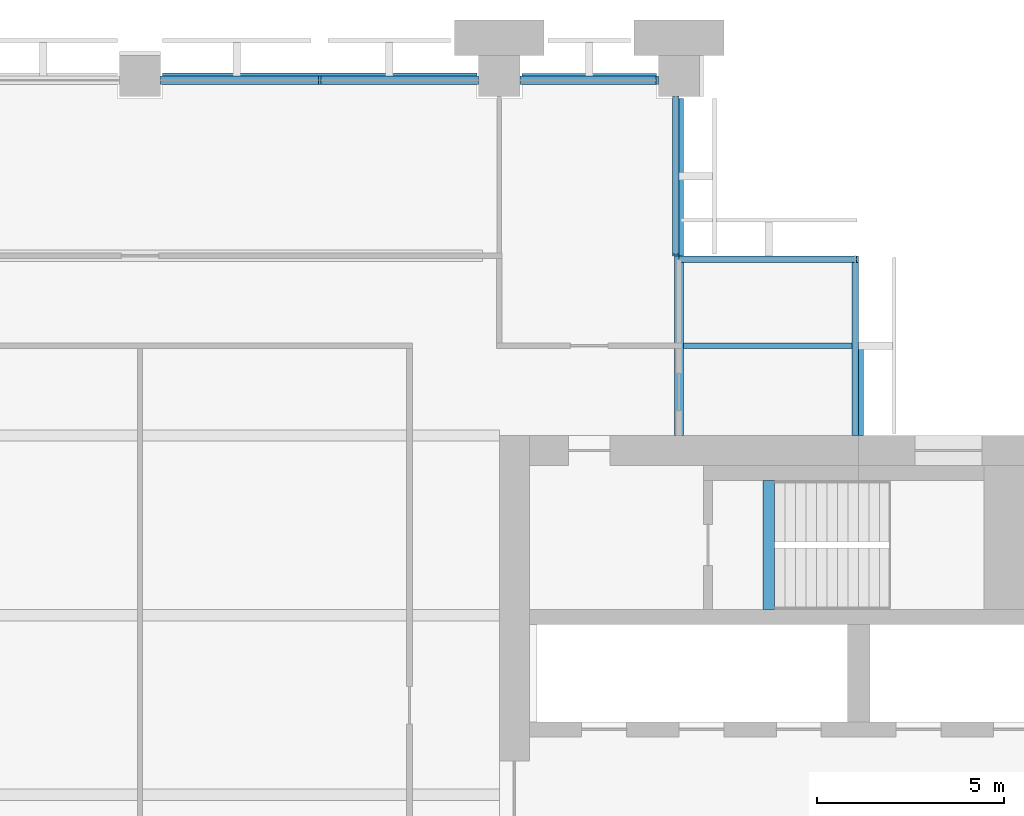
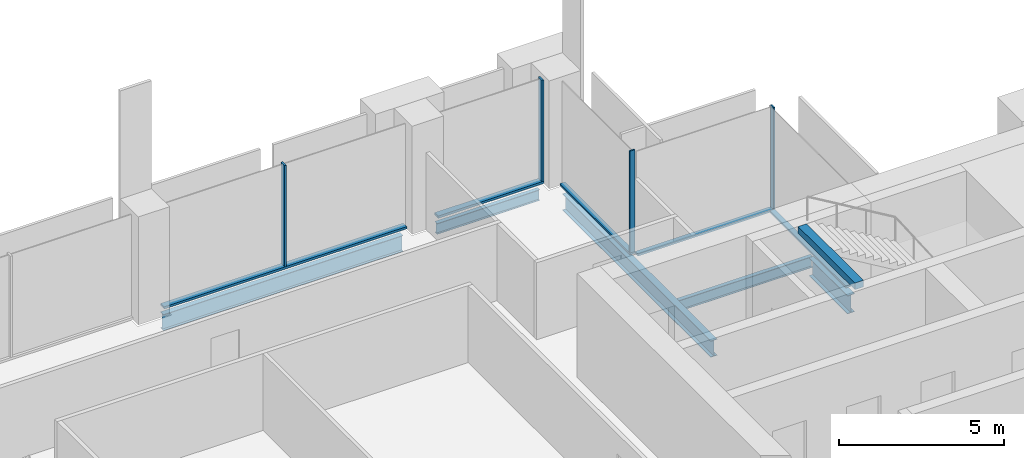
# One storey, part 6 of 13: 9 members, 6 beams, 4 elements without a shape of their own.
"""IFC4 building model written with IfcOpenShell, lengths in metres."""

import ifcopenshell
import ifcopenshell.guid

model = None  # the IFC model being written
_history = None  # IfcOwnerHistory: only IFC2X3 demands one
_inside = {}  # id of a spatial element -> (the spatial element, [elements in it])
_under = {}  # id of a project, library or spatial element -> (it, [spatial elements below it])
_declared = {}  # id of a project -> (the project, [libraries it declares])
_typed = {}  # id of a type object -> (the type object, [elements of that type])
_made_of = {}  # id of a material, layer set ... -> (it, [elements and type objects made of it])


def new_model(schema):
    """Start an empty IFC model of exactly this schema.

    Asked for "IFC4X3", IfcOpenShell would pick the latest addendum, in which some entities
    have other attributes; the version numbers below select the first issue.
    IFC2X3 requires an IfcOwnerHistory on every rooted entity: one is made here for all.
    """
    global model, _history
    if schema == "IFC4X3":
        model = ifcopenshell.file(schema_version=(4, 3, 0, 0))
    else:
        model = ifcopenshell.file(schema=schema)
    _inside.clear()
    _under.clear()
    _declared.clear()
    _typed.clear()
    _made_of.clear()
    _history = None
    if model.schema == "IFC2X3":
        org = make("IfcOrganization", Name="unknown")
        user = make(
            "IfcPersonAndOrganization",
            ThePerson=make("IfcPerson", FamilyName="unknown"),
            TheOrganization=org,
        )
        app = make(
            "IfcApplication",
            ApplicationDeveloper=org,
            Version="unknown",
            ApplicationFullName="unknown",
            ApplicationIdentifier="unknown",
        )
        _history = make(
            "IfcOwnerHistory",
            OwningUser=user,
            OwningApplication=app,
            ChangeAction="ADDED",
            CreationDate=0,
        )
    return model


def make(cls, **values):
    """One entity of the class cls with the attributes given. An attribute that is None is left unset."""
    return model.create_entity(
        cls, **{name: value for name, value in values.items() if value is not None}
    )


def rooted(cls, **values):
    """An entity with a GlobalId (a new one), such as an element, a storey or a relation."""
    return make(cls, GlobalId=ifcopenshell.guid.new(), OwnerHistory=_history, **values)


def si_unit(unit_type, name, prefix=None):
    """IfcSIUnit, for example si_unit("LENGTHUNIT", "METRE", prefix="MILLI")."""
    return make("IfcSIUnit", UnitType=unit_type, Prefix=prefix, Name=name)


def assignment(units):
    """IfcUnitAssignment: the units of a project."""
    return None if units is None else make("IfcUnitAssignment", Units=units)


def point(xyz):
    """IfcCartesianPoint."""
    return None if xyz is None else make("IfcCartesianPoint", Coordinates=xyz)


def direction(xyz):
    """IfcDirection."""
    return None if xyz is None else make("IfcDirection", DirectionRatios=xyz)


def frame(location, z_axis=None, x_axis=None):
    """IfcAxis2Placement3D, a coordinate frame: its origin and axes. An axis left out is left unset."""
    return make(
        "IfcAxis2Placement3D",
        Location=point(location),
        Axis=direction(z_axis),
        RefDirection=direction(x_axis),
    )


def frame_2d(location, x_axis=None):
    """IfcAxis2Placement2D, a coordinate frame in the plane: its origin and x axis."""
    return make(
        "IfcAxis2Placement2D", Location=point(location), RefDirection=direction(x_axis)
    )


def origin():
    """The frame at (0, 0, 0) with its axes left unset."""
    return frame((0.0, 0.0, 0.0))


def origin_2d():
    """The frame at (0, 0) in the plane with its x axis left unset."""
    return frame_2d((0.0, 0.0))


def place(relative_to, where):
    """IfcLocalPlacement: puts the frame where relative to a parent placement (None: the world)."""
    return make(
        "IfcLocalPlacement", PlacementRelTo=relative_to, RelativePlacement=where
    )


def context(
    kind, dimensions, precision=None, world=None, true_north=None, identifier=None
):
    """IfcGeometricRepresentationContext, for example the 3D "Model" context."""
    return make(
        "IfcGeometricRepresentationContext",
        ContextIdentifier=identifier,
        ContextType=kind,
        CoordinateSpaceDimension=dimensions,
        Precision=precision,
        WorldCoordinateSystem=world,
        TrueNorth=true_north,
    )


def subcontext(parent, identifier, kind, view, scale=None):
    """IfcGeometricRepresentationSubContext, for example "Body" below "Model"."""
    return make(
        "IfcGeometricRepresentationSubContext",
        ContextIdentifier=identifier,
        ContextType=kind,
        ParentContext=parent,
        TargetScale=scale,
        TargetView=view,
    )


def project(units=None, contexts=None):
    """IfcProject with its units and contexts."""
    return rooted(
        "IfcProject",
        Name="project",
        RepresentationContexts=contexts,
        UnitsInContext=assignment(units),
    )


def spatial(cls, under=None, at=None, **own):
    """A site, building, storey or space (cls), placed at a placement, below another one or the project."""
    s = rooted(cls, ObjectPlacement=at, **own)
    if under is not None:
        _under.setdefault(under.id(), (under, []))[1].append(s)
    return s


def profile(cls, at=None, kind="AREA", **sizes):
    """A parametric profile (cls). Its sizes go by their IFC names, for example OverallWidth=200.0."""
    return make(cls, ProfileType=kind, Position=at, **sizes)


def rectangle(**sizes):
    """IfcRectangleProfileDef."""
    return profile("IfcRectangleProfileDef", **sizes)


def i_section(**sizes):
    """IfcIShapeProfileDef."""
    return profile("IfcIShapeProfileDef", **sizes)


def extrude(swept, where, along, depth):
    """IfcExtrudedAreaSolid: the profile swept, set in the frame where, extruded along a direction by depth."""
    return make(
        "IfcExtrudedAreaSolid",
        SweptArea=swept,
        Position=where,
        ExtrudedDirection=direction(along),
        Depth=depth,
    )


def shape(context_of_items, identifier, shape_type, items):
    """IfcShapeRepresentation: the items that make up one representation, for example the "Body"."""
    return make(
        "IfcShapeRepresentation",
        ContextOfItems=context_of_items,
        RepresentationIdentifier=identifier,
        RepresentationType=shape_type,
        Items=items,
    )


def material(Name=None, Category=None):
    """IfcMaterial."""
    return make("IfcMaterial", Name=Name, Category=Category)


def material_profile(
    of_material, cross_section, Name=None, Category=None, Priority=None
):
    """IfcMaterialProfile: a cross section and its material."""
    return make(
        "IfcMaterialProfile",
        Name=Name,
        Material=of_material,
        Profile=cross_section,
        Priority=Priority,
        Category=Category,
    )


def profile_set(profiles, Name=None, composite=None):
    """IfcMaterialProfileSet."""
    return make(
        "IfcMaterialProfileSet",
        Name=Name,
        MaterialProfiles=profiles,
        CompositeProfile=composite,
    )


def made_of(thing, what):
    """Note that an element or type object is made of a material, layer set ...; save() writes the relation."""
    if what is not None:
        _made_of.setdefault(what.id(), (what, []))[1].append(thing)
    return thing


def type_object(cls, material=None, **own):
    """A type object (cls), such as IfcWallType, which elements share."""
    return made_of(rooted(cls, **own), material)


def element(
    cls,
    number,
    at=None,
    inside=None,
    cuts=None,
    type_object=None,
    material=None,
    context=None,
    identifier="Body",
    shape_type=None,
    held_by="IfcProductDefinitionShape",
    body=None,
    shapes=None,
    **own,
):
    """One element of the class cls, such as IfcWall. Its Tag is "e" and its number.

    at: its placement. inside: the storey or other place that contains it. cuts: it is an
    opening in that element (IfcRelVoidsElement). A single representation is given by context,
    identifier, shape_type and body (its items); several are given by shapes. held_by: the class
    of the entity that holds the representations. save() writes the other relations.
    """
    e = rooted(cls, Tag="e%d" % number, ObjectPlacement=at, **own)
    if body is not None:
        shapes = [shape(context, identifier, shape_type, body)]
    if shapes is not None:
        e.Representation = make(held_by, Representations=shapes)
    if inside is not None:
        _inside.setdefault(inside.id(), (inside, []))[1].append(e)
    if cuts is not None:
        rooted(
            "IfcRelVoidsElement", RelatingBuildingElement=cuts, RelatedOpeningElement=e
        )
    if type_object is not None:
        _typed.setdefault(type_object.id(), (type_object, []))[1].append(e)
    return made_of(e, material)


def aggregate(whole, parts):
    """IfcRelAggregates: a whole, such as a stair, and the parts it consists of."""
    return rooted("IfcRelAggregates", RelatingObject=whole, RelatedObjects=parts)


def save(model, path):
    """Write the relations noted so far, then the file.

    IfcRelAggregates (storeys below a building ...), IfcRelContainedInSpatialStructure (elements
    in a storey), IfcRelDefinesByType, IfcRelAssociatesMaterial and IfcRelDeclares: one each for
    every whole, place, type object, material and project.
    """
    for whole, parts in _under.values():
        aggregate(whole, parts)
    for where, things in _inside.values():
        rooted(
            "IfcRelContainedInSpatialStructure",
            RelatedElements=things,
            RelatingStructure=where,
        )
    for kind, things in _typed.values():
        rooted("IfcRelDefinesByType", RelatedObjects=things, RelatingType=kind)
    for what, things in _made_of.values():
        rooted("IfcRelAssociatesMaterial", RelatedObjects=things, RelatingMaterial=what)
    for by, libraries in _declared.values():
        rooted("IfcRelDeclares", RelatingContext=by, RelatedDefinitions=libraries)
    model.write(path)


model = new_model("IFC4")

# Units and contexts
model_context = context("Model", 3, precision=1e-05, world=origin(), true_north=direction((0.0, 1.0)))
body_context = subcontext(model_context, "Body", "Model", "MODEL_VIEW")
ifc_project = project(units=[si_unit("LENGTHUNIT", "METRE"), si_unit("AREAUNIT", "SQUARE_METRE"), si_unit("VOLUMEUNIT", "CUBIC_METRE"), si_unit("PLANEANGLEUNIT", "RADIAN"), si_unit("MASSUNIT", "GRAM", prefix="KILO")], contexts=[model_context])

# Site, building, storey
site_placement = place(None, origin())
site = spatial("IfcSite", under=ifc_project, at=site_placement, CompositionType="ELEMENT")
building_placement = place(site_placement, origin())
building = spatial("IfcBuilding", under=site, at=building_placement, Name="Baori Bourse Tower", CompositionType="ELEMENT")
storey_placement = place(building_placement, frame((0.0, 0.0, 193.199951171875)))
storey = spatial("IfcBuildingStorey", under=building, at=storey_placement, Name="L41", CompositionType="ELEMENT", Elevation=193.199951171875)

# Curtain wall, member
ifc_material_1 = material(Name="Pale anodised aluminium", Category="aluminium")
curtain_wall_type_1 = type_object("IfcCurtainWallType", Name="CW2 Curtain wall", PredefinedType="NOTDEFINED", material=ifc_material_1)
curtain_wall_1_placement = place(storey_placement, origin())
curtain_wall_1 = element("IfcCurtainWall", 1, at=curtain_wall_1_placement, inside=storey, type_object=curtain_wall_type_1, Name="Curtain wall CW2 L41 2", PredefinedType="NOTDEFINED")
ifc_material_2 = material(Name="Pale anodised aluminium", Category="aluminium")
ifc_material_profile_1 = material_profile(ifc_material_2, rectangle(XDim=0.179931640625, YDim=0.054931640625, at=origin_2d()), Name="Mullion 55x180")
ifc_profile_set_1 = profile_set([ifc_material_profile_1], Name="Pale anodised aluminium")
member_type_1 = type_object("IfcMemberType", Name="CW2 Curtain wall mullion", PredefinedType="MULLION", material=ifc_profile_set_1)
member_1_placement = place(storey_placement, frame((47.972412109375, 43.110107421875, 0.070068359375), z_axis=(0.0, 0.0, 1.0), x_axis=(0.0, -1.0, 0.0)))
member_1 = element("IfcMember", 2, at=member_1_placement, type_object=member_type_1, Name="Curtain wall CW2 mullion", PredefinedType="MULLION", context=body_context, shape_type="SweptSolid", body=[
    extrude(rectangle(XDim=0.179931640625, YDim=0.054931640625, at=origin_2d()), origin(), (0.0, 0.0, 1.0), 3.77001953125),
])

curtain_wall_2_placement = place(storey_placement, origin())
curtain_wall_2 = element("IfcCurtainWall", 3, at=curtain_wall_2_placement, inside=storey, type_object=curtain_wall_type_1, Name="Curtain wall CW2 L41 3", PredefinedType="NOTDEFINED")
member_2_placement = place(storey_placement, frame((43.110107421875, 43.2275390625, 0.070068359375), z_axis=(0.0, 0.0, 1.0), x_axis=(-1.0, 0.0, 0.0)))
member_2 = element("IfcMember", 4, at=member_2_placement, type_object=member_type_1, Name="Curtain wall CW2 mullion", PredefinedType="MULLION", context=body_context, shape_type="SweptSolid", body=[
    extrude(rectangle(XDim=0.179931640625, YDim=0.054931640625, at=origin_2d()), origin(), (0.0, 0.0, 1.0), 3.77001953125),
])

curtain_wall_3_placement = place(storey_placement, origin())
curtain_wall_3 = element("IfcCurtainWall", 5, at=curtain_wall_3_placement, inside=storey, type_object=curtain_wall_type_1, Name="Curtain wall CW2 L41 1", PredefinedType="NOTDEFINED")
ifc_material_3 = material(Name="Pale anodised aluminium", Category="aluminium")
ifc_material_profile_2 = material_profile(ifc_material_3, rectangle(XDim=0.179931640625, YDim=0.070068359375, at=origin_2d()), Name="Transom 70x180")
ifc_profile_set_2 = profile_set([ifc_material_profile_2], Name="Pale anodised aluminium")
member_type_2 = type_object("IfcMemberType", Name="CW2 Curtain wall transom", PredefinedType="USERDEFINED", material=ifc_profile_set_2)
member_3_placement = place(storey_placement, frame((47.909912109375, 38.39990234375, 0.03515625), z_axis=(0.0, 1.0, 0.0), x_axis=(-1.0, 0.0, 0.0)))
member_3 = element("IfcMember", 6, at=member_3_placement, type_object=member_type_2, Name="Curtain wall CW2 sill rail", ObjectType="TRANSOM", PredefinedType="USERDEFINED", context=body_context, shape_type="SweptSolid", body=[
    extrude(rectangle(XDim=0.179931640625, YDim=0.070068359375, at=origin_2d()), origin(), (0.0, 0.0, 1.0), 4.800048828125),
])
aggregate(curtain_wall_3, [member_3])

# Member
member_4_placement = place(storey_placement, frame((48.0, 43.110107421875, 0.03515625), z_axis=(-1.0, 0.0, 0.0), x_axis=(0.0, -1.0, 0.0)))
member_4 = element("IfcMember", 7, at=member_4_placement, type_object=member_type_2, Name="Curtain wall CW2 sill rail", ObjectType="TRANSOM", PredefinedType="USERDEFINED", context=body_context, shape_type="SweptSolid", body=[
    extrude(rectangle(XDim=0.179931640625, YDim=0.070068359375, at=origin_2d()), origin(), (0.0, 0.0, 1.0), 4.800048828125),
])

aggregate(curtain_wall_1, [member_4, member_1])

member_5_placement = place(storey_placement, frame((43.110107421875, 43.199951171875, 0.03515625), z_axis=(0.0, 1.0, 0.0), x_axis=(-1.0, 0.0, 0.0)))
member_5 = element("IfcMember", 8, at=member_5_placement, type_object=member_type_2, Name="Curtain wall CW2 sill rail", ObjectType="TRANSOM", PredefinedType="USERDEFINED", context=body_context, shape_type="SweptSolid", body=[
    extrude(rectangle(XDim=0.179931640625, YDim=0.070068359375, at=origin_2d()), origin(), (0.0, 0.0, 1.0), 4.25),
])

aggregate(curtain_wall_2, [member_5, member_2])

# Curtain wall, members
ifc_material_4 = material(Name="Pale anodised aluminium", Category="aluminium")
curtain_wall_type_2 = type_object("IfcCurtainWallType", Name="CW5 Curtain wall", PredefinedType="NOTDEFINED", material=ifc_material_4)
curtain_wall_4_placement = place(storey_placement, origin())
curtain_wall_4 = element("IfcCurtainWall", 9, at=curtain_wall_4_placement, inside=storey, type_object=curtain_wall_type_2, Name="Curtain wall CW5 L41 4", PredefinedType="NOTDEFINED")
ifc_material_5 = material(Name="Pale anodised aluminium", Category="aluminium")
ifc_material_profile_3 = material_profile(ifc_material_5, rectangle(XDim=0.219970703125, YDim=0.06494140625, at=origin_2d()), Name="Mullion 65x220")
ifc_profile_set_3 = profile_set([ifc_material_profile_3], Name="Pale anodised aluminium")
member_type_3 = type_object("IfcMemberType", Name="CW5 Curtain wall mullion", PredefinedType="MULLION", material=ifc_profile_set_3)
member_6_placement = place(storey_placement, frame((42.617431640625, 47.889892578125, 0.0849609375), z_axis=(0.0, 0.0, 1.0), x_axis=(0.0, -1.0, 0.0)))
member_6 = element("IfcMember", 10, at=member_6_placement, type_object=member_type_3, Name="Curtain wall CW5 mullion", PredefinedType="MULLION", context=body_context, shape_type="SweptSolid", body=[
    extrude(rectangle(XDim=0.219970703125, YDim=0.06494140625, at=origin_2d()), origin(), (0.0, 0.0, 1.0), 3.755126953125),
])
member_7_placement = place(storey_placement, frame((33.60009765625, 47.889892578125, 0.0849609375), z_axis=(0.0, 0.0, 1.0), x_axis=(0.0, -1.0, 0.0)))
member_7 = element("IfcMember", 11, at=member_7_placement, type_object=member_type_3, Name="Curtain wall CW5 mullion", PredefinedType="MULLION", context=body_context, shape_type="SweptSolid", body=[
    extrude(rectangle(XDim=0.219970703125, YDim=0.06494140625, at=origin_2d()), origin(), (0.0, 0.0, 1.0), 3.755126953125),
])
ifc_material_6 = material(Name="Pale anodised aluminium", Category="aluminium")
ifc_material_profile_4 = material_profile(ifc_material_6, rectangle(XDim=0.219970703125, YDim=0.0849609375, at=origin_2d()), Name="Transom 85x220")
ifc_profile_set_4 = profile_set([ifc_material_profile_4], Name="Pale anodised aluminium")
member_type_4 = type_object("IfcMemberType", Name="CW5 Curtain wall transom", PredefinedType="USERDEFINED", material=ifc_profile_set_4)
member_8_placement = place(storey_placement, frame((42.64990234375, 47.889892578125, 0.04248046875), z_axis=(-1.0, 0.0, 0.0), x_axis=(0.0, -1.0, 0.0)))
member_8 = element("IfcMember", 12, at=member_8_placement, type_object=member_type_4, Name="Curtain wall CW5 sill rail", ObjectType="TRANSOM", PredefinedType="USERDEFINED", context=body_context, shape_type="SweptSolid", body=[
    extrude(rectangle(XDim=0.219970703125, YDim=0.0849609375, at=origin_2d()), origin(), (0.0, 0.0, 1.0), 3.699951171875),
])
member_9_placement = place(storey_placement, frame((37.85009765625, 47.889892578125, 0.04248046875), z_axis=(-1.0, 0.0, 0.0), x_axis=(0.0, -1.0, 0.0)))
member_9 = element("IfcMember", 13, at=member_9_placement, type_object=member_type_4, Name="Curtain wall CW5 sill rail", ObjectType="TRANSOM", PredefinedType="USERDEFINED", context=body_context, shape_type="SweptSolid", body=[
    extrude(rectangle(XDim=0.219970703125, YDim=0.0849609375, at=origin_2d()), origin(), (0.0, 0.0, 1.0), 8.5),
])
aggregate(curtain_wall_4, [member_8, member_6, member_9, member_7])

# Beams
ifc_material_7 = material(Name="Steel A992 Gr 50", Category="steel")
ifc_material_profile_5 = material_profile(ifc_material_7, i_section(OverallWidth=0.25390625, OverallDepth=0.67822265625, WebThickness=0.01171875, FlangeThickness=0.016357421875, at=origin_2d()), Name="W27x84")
ifc_profile_set_5 = profile_set([ifc_material_profile_5], Name="Steel A992 Gr 50")
beam_type_1 = type_object("IfcBeamType", Name="Core bracket W27x84", PredefinedType="BEAM", material=ifc_profile_set_5)
beam_1_placement = place(storey_placement, frame((48.0, 38.39990234375, -0.63916015625), z_axis=(0.0, 1.0, 0.0), x_axis=(-1.0, 0.0, 0.0)))
element("IfcBeam", 14, at=beam_1_placement, inside=storey, type_object=beam_type_1, Name="Core bracket L41", PredefinedType="BEAM", context=body_context, shape_type="SweptSolid", body=[
    extrude(i_section(OverallWidth=0.25390625, OverallDepth=0.67822265625, WebThickness=0.01171875, FlangeThickness=0.016357421875, at=origin_2d()), origin(), (0.0, 0.0, 1.0), 2.329833984375),
])
ifc_material_8 = material(Name="Steel A992 Gr 50", Category="steel")
ifc_material_profile_6 = material_profile(ifc_material_8, i_section(OverallWidth=0.140380859375, OverallDepth=0.40380859375, WebThickness=0.007080078125, FlangeThickness=0.01123046875, at=origin_2d()), Name="W16x31")
ifc_profile_set_6 = profile_set([ifc_material_profile_6], Name="Steel A992 Gr 50")
beam_type_2 = type_object("IfcBeamType", Name="Edge beam W16x31", PredefinedType="BEAM", material=ifc_profile_set_6)
beam_2_placement = place(storey_placement, frame((39.0, 48.0, -0.501953125), z_axis=(1.0, 0.0, 0.0), x_axis=(0.0, 1.0, 0.0)))
element("IfcBeam", 15, at=beam_2_placement, inside=storey, type_object=beam_type_2, Name="Edge beam L41", PredefinedType="BEAM", context=body_context, shape_type="SweptSolid", body=[
    extrude(i_section(OverallWidth=0.140380859375, OverallDepth=0.40380859375, WebThickness=0.007080078125, FlangeThickness=0.01123046875, at=origin_2d()), origin(), (0.0, 0.0, 1.0), 3.60009765625),
])
ifc_material_9 = material(Name="Steel A992 Gr 50", Category="steel")
ifc_material_profile_7 = material_profile(ifc_material_9, i_section(OverallWidth=0.177978515625, OverallDepth=0.599365234375, WebThickness=0.010009765625, FlangeThickness=0.012939453125, at=origin_2d()), Name="W24x55")
ifc_profile_set_7 = profile_set([ifc_material_profile_7], Name="Steel A992 Gr 50")
beam_type_3 = type_object("IfcBeamType", Name="Edge beam W24x55", PredefinedType="BEAM", material=ifc_profile_set_7)
beam_3_placement = place(storey_placement, frame((29.39990234375, 48.0, -0.599609375), z_axis=(1.0, 0.0, 0.0), x_axis=(0.0, 1.0, 0.0)))
element("IfcBeam", 16, at=beam_3_placement, inside=storey, type_object=beam_type_3, Name="Edge beam L41", PredefinedType="BEAM", context=body_context, shape_type="SweptSolid", body=[
    extrude(i_section(OverallWidth=0.177978515625, OverallDepth=0.599365234375, WebThickness=0.010009765625, FlangeThickness=0.012939453125, at=origin_2d()), origin(), (0.0, 0.0, 1.0), 8.400146484375),
])
ifc_material_10 = material(Name="Steel A992 Gr 50", Category="steel")
ifc_material_profile_8 = material_profile(ifc_material_10, i_section(OverallWidth=0.22900390625, OverallDepth=0.612060546875, WebThickness=0.011962890625, FlangeThickness=0.01953125, at=origin_2d()), Name="W24x84")
ifc_profile_set_8 = profile_set([ifc_material_profile_8], Name="Steel A992 Gr 50")
beam_type_4 = type_object("IfcBeamType", Name="Floor beam W24x84", PredefinedType="BEAM", material=ifc_profile_set_8)
beam_4_placement = place(storey_placement, frame((43.199951171875, 38.39990234375, -0.60595703125), z_axis=(0.0, 1.0, 0.0), x_axis=(-1.0, 0.0, 0.0)))
element("IfcBeam", 17, at=beam_4_placement, inside=storey, type_object=beam_type_4, Name="Floor beam L41", PredefinedType="BEAM", context=body_context, shape_type="SweptSolid", body=[
    extrude(i_section(OverallWidth=0.22900390625, OverallDepth=0.612060546875, WebThickness=0.011962890625, FlangeThickness=0.01953125, at=origin_2d()), origin(), (0.0, 0.0, 1.0), 9.0),
])
ifc_material_11 = material(Name="Concrete f'c 50 MPa", Category="concrete")
ifc_material_profile_9 = material_profile(ifc_material_11, rectangle(XDim=0.300048828125, YDim=0.25, at=origin_2d()), Name="RC 300x250")
ifc_profile_set_9 = profile_set([ifc_material_profile_9], Name="Concrete f'c 50 MPa")
beam_type_5 = type_object("IfcBeamType", Name="Stair nib beam RC 300x250", PredefinedType="BEAM", material=ifc_profile_set_9)
beam_5_placement = place(storey_placement, frame((45.60009765625, 33.75, 3.715087890625), z_axis=(0.0, 1.0, 0.0), x_axis=(-1.0, 0.0, 0.0)))
element("IfcBeam", 18, at=beam_5_placement, inside=storey, type_object=beam_type_5, Name="Stair EB nib beam L42", PredefinedType="BEAM", context=body_context, shape_type="SweptSolid", body=[
    extrude(rectangle(XDim=0.300048828125, YDim=0.25, at=origin_2d()), origin(), (0.0, 0.0, 1.0), 3.449951171875),
])
ifc_material_12 = material(Name="Steel A992 Gr 50", Category="steel")
ifc_material_profile_10 = material_profile(ifc_material_12, i_section(OverallWidth=0.140380859375, OverallDepth=0.40380859375, WebThickness=0.007080078125, FlangeThickness=0.01123046875, at=origin_2d()), Name="W16x31")
ifc_profile_set_10 = profile_set([ifc_material_profile_10], Name="Steel A992 Gr 50")
beam_type_6 = type_object("IfcBeamType", Name="Trimmer beam W16x31", PredefinedType="BEAM", material=ifc_profile_set_10)
beam_6_placement = place(storey_placement, frame((43.314453125, 40.800048828125, -0.501953125), z_axis=(1.0, 0.0, 0.0), x_axis=(0.0, 1.0, 0.0)))
element("IfcBeam", 19, at=beam_6_placement, inside=storey, type_object=beam_type_6, Name="Trimmer beam L41", PredefinedType="BEAM", context=body_context, shape_type="SweptSolid", body=[
    extrude(i_section(OverallWidth=0.140380859375, OverallDepth=0.40380859375, WebThickness=0.007080078125, FlangeThickness=0.01123046875, at=origin_2d()), origin(), (0.0, 0.0, 1.0), 4.685546875),
])

save(model, "model.ifc")
